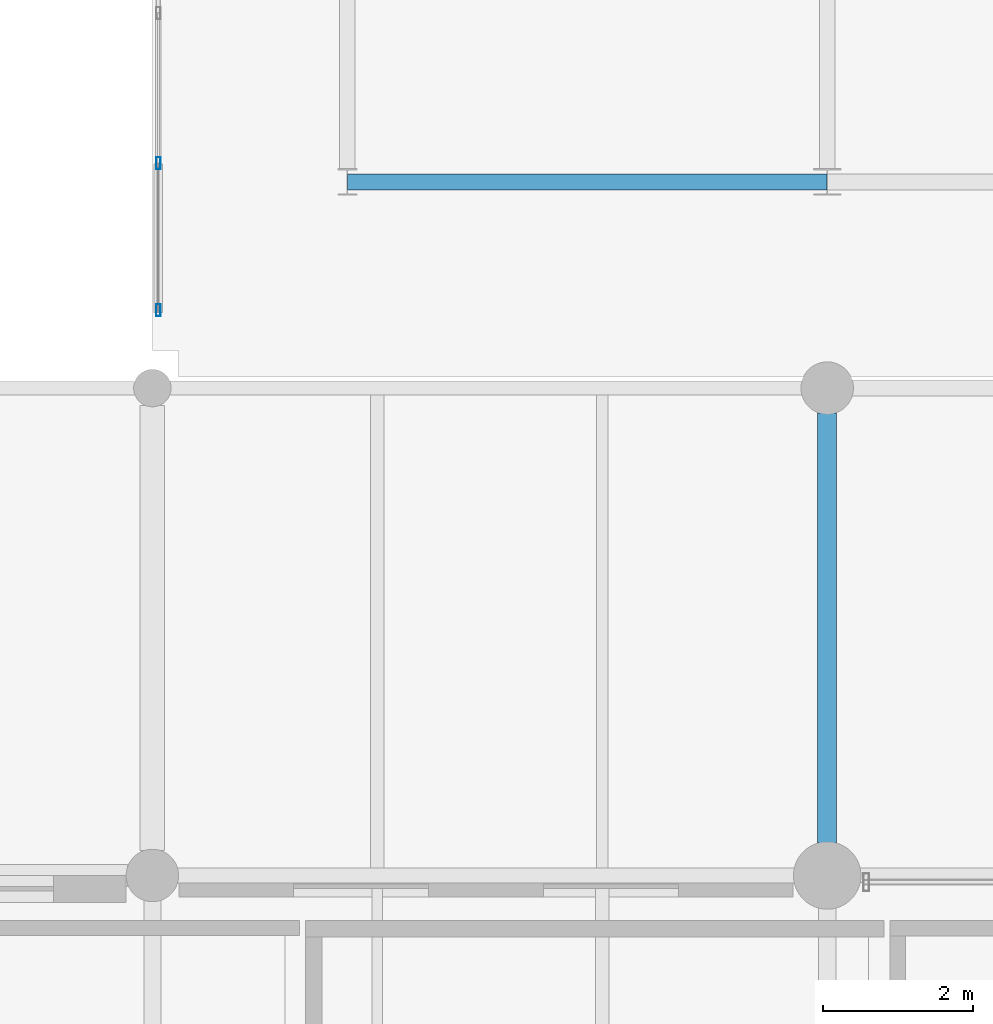
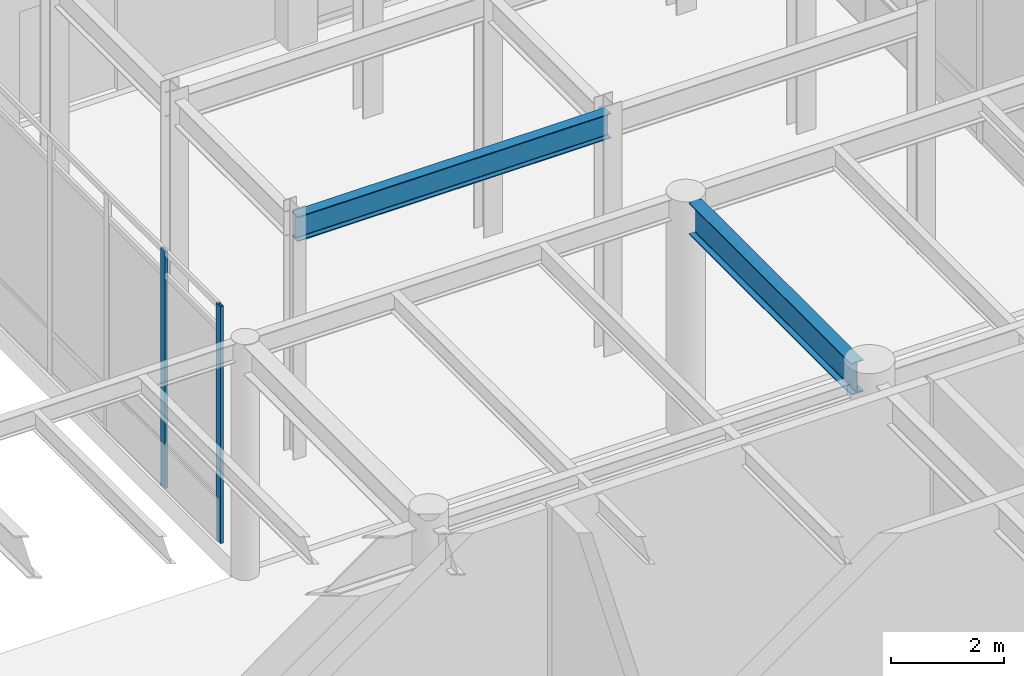
# One storey, part 73 of 203: 2 beams, 2 members, 1 element without a shape of its own.
"""IFC4 building model written with IfcOpenShell, lengths in metres."""

from ifc_helpers import new_model, si_unit, direction, frame, origin, origin_2d, place, context, subcontext, project, spatial, hollow_rectangle, i_section, extrude, material, material_profile, profile_set, type_object, element, aggregate, save


model = new_model("IFC4")

# Units and contexts
model_context = context("Model", 3, precision=1e-05, world=origin(), true_north=direction((0.0, 1.0)))
body_context = subcontext(model_context, "Body", "Model", "MODEL_VIEW")
ifc_project = project(units=[si_unit("LENGTHUNIT", "METRE"), si_unit("AREAUNIT", "SQUARE_METRE"), si_unit("VOLUMEUNIT", "CUBIC_METRE"), si_unit("PLANEANGLEUNIT", "RADIAN"), si_unit("MASSUNIT", "GRAM", prefix="KILO"), si_unit("THERMODYNAMICTEMPERATUREUNIT", "KELVIN"), si_unit("POWERUNIT", "WATT")], contexts=[model_context])

# Site, building, storey
site_placement = place(None, origin())
site = spatial("IfcSite", under=ifc_project, at=site_placement, CompositionType="ELEMENT")
building_placement = place(site_placement, origin())
building = spatial("IfcBuilding", under=site, at=building_placement, Name="Tepalcoro Natatorium and Aquatics Centre", CompositionType="ELEMENT")
storey_placement = place(building_placement, origin())
storey = spatial("IfcBuildingStorey", under=building, at=storey_placement, Name="L00", CompositionType="ELEMENT", Elevation=0.0)

# Beams
ifc_material_1 = material(Name="Steel ASTM A992 Grade 50 (Fy 345 MPa)", Category="steel")
ifc_material_profile_1 = material_profile(ifc_material_1, i_section(OverallWidth=0.2109375, OverallDepth=0.5380859375, WebThickness=0.011962890625, FlangeThickness=0.01904296875, FilletRadius=0.013916015625, at=origin_2d()), Name="W21X73")
ifc_profile_set_1 = profile_set([ifc_material_profile_1], Name="Steel ASTM A992 Grade 50 (Fy 345 MPa)")
beam_type_1 = type_object("IfcBeamType", Name="BM_LINK_LB1", PredefinedType="BEAM", material=ifc_profile_set_1)
beam_1_placement = place(storey_placement, frame((55.60009765625, 74.75, 4.89599609375), z_axis=(1.0, 0.0, 0.0), x_axis=(0.0, 1.0, 0.0)))
element("IfcBeam", 1, at=beam_1_placement, inside=storey, type_object=beam_type_1, Name="Seismic passage link beam LB1 (V6NW L00)", PredefinedType="BEAM", context=body_context, shape_type="SweptSolid", body=[
    extrude(i_section(OverallWidth=0.2109375, OverallDepth=0.5380859375, WebThickness=0.011962890625, FlangeThickness=0.01904296875, FilletRadius=0.013916015625, at=origin_2d()), origin(), (0.0, 0.0, 1.0), 6.39990234375),
])
ifc_material_profile_2 = material_profile(ifc_material_1, i_section(OverallWidth=0.25390625, OverallDepth=0.68798828125, WebThickness=0.012939453125, FlangeThickness=0.02099609375, FilletRadius=0.013916015625, at=origin_2d()), Name="W27X102")
ifc_profile_set_2 = profile_set([ifc_material_profile_2], Name="Steel ASTM A992 Grade 50 (Fy 345 MPa)")
beam_type_2 = type_object("IfcBeamType", Name="BM_W27x102", PredefinedType="BEAM", material=ifc_profile_set_2)
beam_2_placement = place(storey_placement, frame((62.0, 65.93505859375, 4.740966796875), z_axis=(0.0, 1.0, 0.0), x_axis=(-1.0, 0.0, 0.0)))
element("IfcBeam", 2, at=beam_2_placement, inside=storey, type_object=beam_type_2, Name="V1 L00 Grid Girder Y", PredefinedType="BEAM", context=body_context, shape_type="SweptSolid", body=[
    extrude(i_section(OverallWidth=0.25390625, OverallDepth=0.68798828125, WebThickness=0.012939453125, FlangeThickness=0.02099609375, FilletRadius=0.013916015625, at=origin_2d()), origin(), (0.0, 0.0, 1.0), 5.72998046875),
])

# Curtain wall, members
ifc_material_2 = material(Name="Bronze-Anodised Extruded Aluminium Alloy EN AW-6063 T6", Category="aluminium")
curtain_wall_type = type_object("IfcCurtainWallType", Name="CW_LINK_150", PredefinedType="USERDEFINED", material=ifc_material_2)
curtain_wall_placement = place(storey_placement, origin())
curtain_wall = element("IfcCurtainWall", 3, at=curtain_wall_placement, inside=storey, type_object=curtain_wall_type, Name="West Court Swimmers Arcade Glazed Wall W L00", ObjectType="UNITISED STOREFRONT", PredefinedType="USERDEFINED")
ifc_material_profile_3 = material_profile(ifc_material_2, hollow_rectangle(XDim=0.06005859375, YDim=0.159912109375, WallThickness=0.00390625, at=origin_2d()), Name="AL60X160X4")
ifc_profile_set_3 = profile_set([ifc_material_profile_3], Name="Bronze-Anodised Extruded Aluminium Alloy EN AW-6063 T6")
member_type = type_object("IfcMemberType", Name="CW_MUL_60x160", PredefinedType="MULLION", material=ifc_profile_set_3)
member_1_placement = place(storey_placement, frame((53.080078125, 73.0400390625, 0.02001953125), z_axis=(0.0, 0.0, 1.0), x_axis=(1.0, 0.0, 0.0)))
member_1 = element("IfcMember", 4, at=member_1_placement, type_object=member_type, Name="CW_LINK_150 Curtain Wall Mullion", PredefinedType="MULLION", context=body_context, shape_type="SweptSolid", body=[
    extrude(hollow_rectangle(XDim=0.06005859375, YDim=0.159912109375, WallThickness=0.00390625, at=origin_2d()), origin(), (0.0, 0.0, 1.0), 5.119873046875),
])
member_2_placement = place(storey_placement, frame((53.080078125, 75.0, 0.02001953125), z_axis=(0.0, 0.0, 1.0), x_axis=(1.0, 0.0, 0.0)))
member_2 = element("IfcMember", 5, at=member_2_placement, type_object=member_type, Name="CW_LINK_150 Curtain Wall Mullion", PredefinedType="MULLION", context=body_context, shape_type="SweptSolid", body=[
    extrude(hollow_rectangle(XDim=0.06005859375, YDim=0.159912109375, WallThickness=0.00390625, at=origin_2d()), origin(), (0.0, 0.0, 1.0), 5.119873046875),
])
aggregate(curtain_wall, [member_1, member_2])

save(model, "model.ifc")
